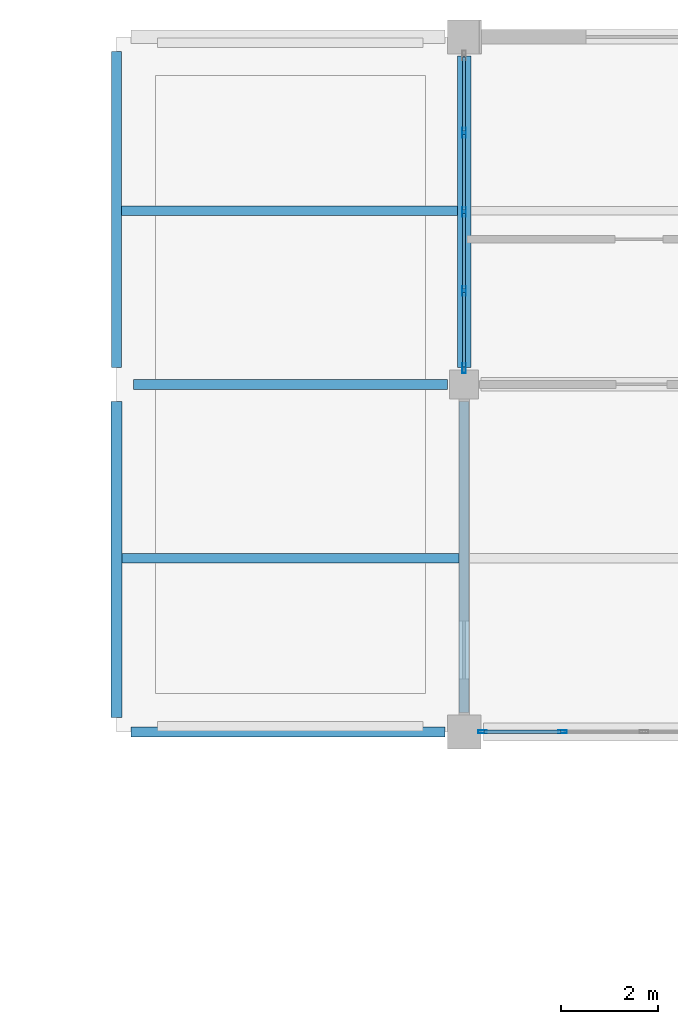
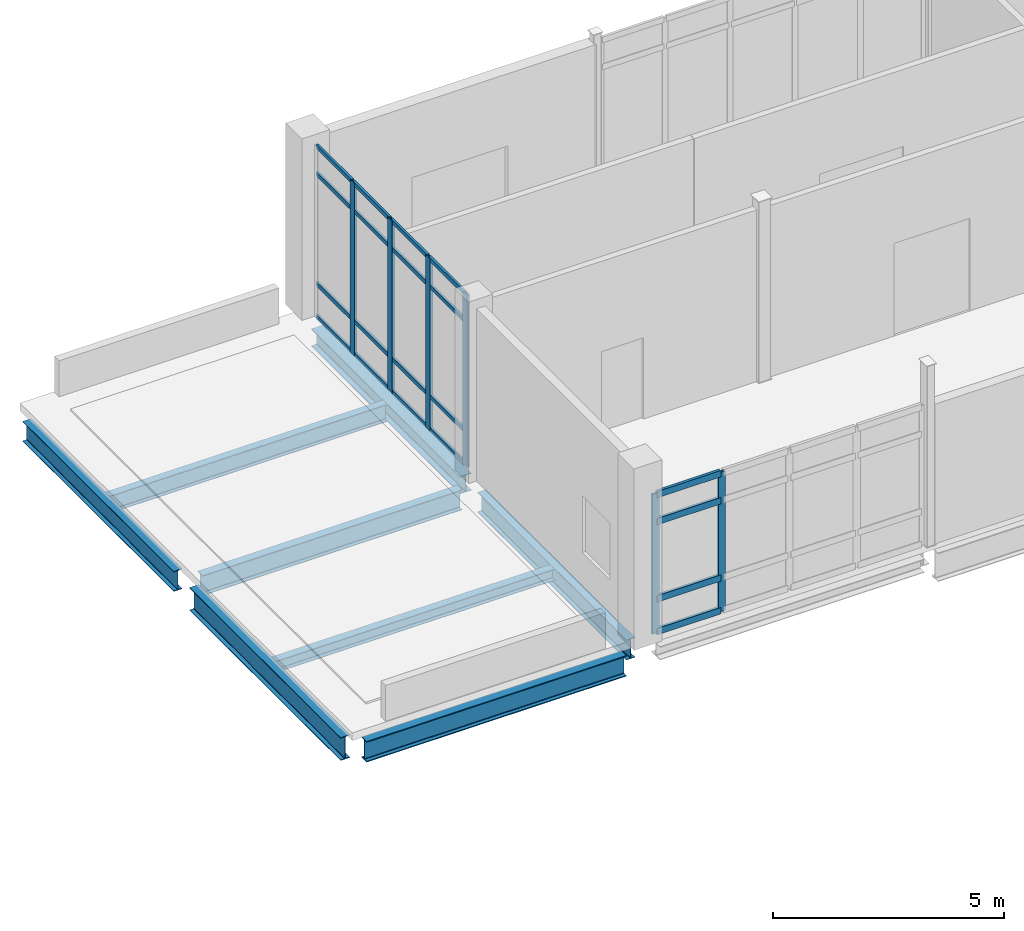
# One storey, part 57 of 153: 26 members, 8 beams, 2 elements without a shape of their own.
"""IFC4 building model written with IfcOpenShell, lengths in metres."""

import ifcopenshell
import ifcopenshell.guid

model = None  # the IFC model being written
_history = None  # IfcOwnerHistory: only IFC2X3 demands one
_inside = {}  # id of a spatial element -> (the spatial element, [elements in it])
_under = {}  # id of a project, library or spatial element -> (it, [spatial elements below it])
_declared = {}  # id of a project -> (the project, [libraries it declares])
_typed = {}  # id of a type object -> (the type object, [elements of that type])
_made_of = {}  # id of a material, layer set ... -> (it, [elements and type objects made of it])


def new_model(schema):
    """Start an empty IFC model of exactly this schema.

    Asked for "IFC4X3", IfcOpenShell would pick the latest addendum, in which some entities
    have other attributes; the version numbers below select the first issue.
    IFC2X3 requires an IfcOwnerHistory on every rooted entity: one is made here for all.
    """
    global model, _history
    if schema == "IFC4X3":
        model = ifcopenshell.file(schema_version=(4, 3, 0, 0))
    else:
        model = ifcopenshell.file(schema=schema)
    _inside.clear()
    _under.clear()
    _declared.clear()
    _typed.clear()
    _made_of.clear()
    _history = None
    if model.schema == "IFC2X3":
        org = make("IfcOrganization", Name="unknown")
        user = make(
            "IfcPersonAndOrganization",
            ThePerson=make("IfcPerson", FamilyName="unknown"),
            TheOrganization=org,
        )
        app = make(
            "IfcApplication",
            ApplicationDeveloper=org,
            Version="unknown",
            ApplicationFullName="unknown",
            ApplicationIdentifier="unknown",
        )
        _history = make(
            "IfcOwnerHistory",
            OwningUser=user,
            OwningApplication=app,
            ChangeAction="ADDED",
            CreationDate=0,
        )
    return model


def make(cls, **values):
    """One entity of the class cls with the attributes given. An attribute that is None is left unset."""
    return model.create_entity(
        cls, **{name: value for name, value in values.items() if value is not None}
    )


def rooted(cls, **values):
    """An entity with a GlobalId (a new one), such as an element, a storey or a relation."""
    return make(cls, GlobalId=ifcopenshell.guid.new(), OwnerHistory=_history, **values)


def si_unit(unit_type, name, prefix=None):
    """IfcSIUnit, for example si_unit("LENGTHUNIT", "METRE", prefix="MILLI")."""
    return make("IfcSIUnit", UnitType=unit_type, Prefix=prefix, Name=name)


def assignment(units):
    """IfcUnitAssignment: the units of a project."""
    return None if units is None else make("IfcUnitAssignment", Units=units)


def point(xyz):
    """IfcCartesianPoint."""
    return None if xyz is None else make("IfcCartesianPoint", Coordinates=xyz)


def direction(xyz):
    """IfcDirection."""
    return None if xyz is None else make("IfcDirection", DirectionRatios=xyz)


def frame(location, z_axis=None, x_axis=None):
    """IfcAxis2Placement3D, a coordinate frame: its origin and axes. An axis left out is left unset."""
    return make(
        "IfcAxis2Placement3D",
        Location=point(location),
        Axis=direction(z_axis),
        RefDirection=direction(x_axis),
    )


def frame_2d(location, x_axis=None):
    """IfcAxis2Placement2D, a coordinate frame in the plane: its origin and x axis."""
    return make(
        "IfcAxis2Placement2D", Location=point(location), RefDirection=direction(x_axis)
    )


def origin():
    """The frame at (0, 0, 0) with its axes left unset."""
    return frame((0.0, 0.0, 0.0))


def origin_2d():
    """The frame at (0, 0) in the plane with its x axis left unset."""
    return frame_2d((0.0, 0.0))


def place(relative_to, where):
    """IfcLocalPlacement: puts the frame where relative to a parent placement (None: the world)."""
    return make(
        "IfcLocalPlacement", PlacementRelTo=relative_to, RelativePlacement=where
    )


def context(
    kind, dimensions, precision=None, world=None, true_north=None, identifier=None
):
    """IfcGeometricRepresentationContext, for example the 3D "Model" context."""
    return make(
        "IfcGeometricRepresentationContext",
        ContextIdentifier=identifier,
        ContextType=kind,
        CoordinateSpaceDimension=dimensions,
        Precision=precision,
        WorldCoordinateSystem=world,
        TrueNorth=true_north,
    )


def subcontext(parent, identifier, kind, view, scale=None):
    """IfcGeometricRepresentationSubContext, for example "Body" below "Model"."""
    return make(
        "IfcGeometricRepresentationSubContext",
        ContextIdentifier=identifier,
        ContextType=kind,
        ParentContext=parent,
        TargetScale=scale,
        TargetView=view,
    )


def project(units=None, contexts=None):
    """IfcProject with its units and contexts."""
    return rooted(
        "IfcProject",
        Name="project",
        RepresentationContexts=contexts,
        UnitsInContext=assignment(units),
    )


def spatial(cls, under=None, at=None, **own):
    """A site, building, storey or space (cls), placed at a placement, below another one or the project."""
    s = rooted(cls, ObjectPlacement=at, **own)
    if under is not None:
        _under.setdefault(under.id(), (under, []))[1].append(s)
    return s


def profile(cls, at=None, kind="AREA", **sizes):
    """A parametric profile (cls). Its sizes go by their IFC names, for example OverallWidth=200.0."""
    return make(cls, ProfileType=kind, Position=at, **sizes)


def hollow_rectangle(**sizes):
    """IfcRectangleHollowProfileDef."""
    return profile("IfcRectangleHollowProfileDef", **sizes)


def i_section(**sizes):
    """IfcIShapeProfileDef."""
    return profile("IfcIShapeProfileDef", **sizes)


def extrude(swept, where, along, depth):
    """IfcExtrudedAreaSolid: the profile swept, set in the frame where, extruded along a direction by depth."""
    return make(
        "IfcExtrudedAreaSolid",
        SweptArea=swept,
        Position=where,
        ExtrudedDirection=direction(along),
        Depth=depth,
    )


def shape(context_of_items, identifier, shape_type, items):
    """IfcShapeRepresentation: the items that make up one representation, for example the "Body"."""
    return make(
        "IfcShapeRepresentation",
        ContextOfItems=context_of_items,
        RepresentationIdentifier=identifier,
        RepresentationType=shape_type,
        Items=items,
    )


def material(Name=None, Category=None):
    """IfcMaterial."""
    return make("IfcMaterial", Name=Name, Category=Category)


def layer(
    of_material, thickness, ventilated=None, Name=None, Category=None, Priority=None
):
    """IfcMaterialLayer: one layer of a wall or slab, of a material (None: an air gap)."""
    return make(
        "IfcMaterialLayer",
        Material=of_material,
        LayerThickness=thickness,
        IsVentilated=ventilated,
        Name=Name,
        Category=Category,
        Priority=Priority,
    )


def layer_set(layers, Name=None):
    """IfcMaterialLayerSet."""
    return make("IfcMaterialLayerSet", MaterialLayers=layers, LayerSetName=Name)


def material_profile(
    of_material, cross_section, Name=None, Category=None, Priority=None
):
    """IfcMaterialProfile: a cross section and its material."""
    return make(
        "IfcMaterialProfile",
        Name=Name,
        Material=of_material,
        Profile=cross_section,
        Priority=Priority,
        Category=Category,
    )


def profile_set(profiles, Name=None, composite=None):
    """IfcMaterialProfileSet."""
    return make(
        "IfcMaterialProfileSet",
        Name=Name,
        MaterialProfiles=profiles,
        CompositeProfile=composite,
    )


def made_of(thing, what):
    """Note that an element or type object is made of a material, layer set ...; save() writes the relation."""
    if what is not None:
        _made_of.setdefault(what.id(), (what, []))[1].append(thing)
    return thing


def type_object(cls, material=None, **own):
    """A type object (cls), such as IfcWallType, which elements share."""
    return made_of(rooted(cls, **own), material)


def element(
    cls,
    number,
    at=None,
    inside=None,
    cuts=None,
    type_object=None,
    material=None,
    context=None,
    identifier="Body",
    shape_type=None,
    held_by="IfcProductDefinitionShape",
    body=None,
    shapes=None,
    **own,
):
    """One element of the class cls, such as IfcWall. Its Tag is "e" and its number.

    at: its placement. inside: the storey or other place that contains it. cuts: it is an
    opening in that element (IfcRelVoidsElement). A single representation is given by context,
    identifier, shape_type and body (its items); several are given by shapes. held_by: the class
    of the entity that holds the representations. save() writes the other relations.
    """
    e = rooted(cls, Tag="e%d" % number, ObjectPlacement=at, **own)
    if body is not None:
        shapes = [shape(context, identifier, shape_type, body)]
    if shapes is not None:
        e.Representation = make(held_by, Representations=shapes)
    if inside is not None:
        _inside.setdefault(inside.id(), (inside, []))[1].append(e)
    if cuts is not None:
        rooted(
            "IfcRelVoidsElement", RelatingBuildingElement=cuts, RelatedOpeningElement=e
        )
    if type_object is not None:
        _typed.setdefault(type_object.id(), (type_object, []))[1].append(e)
    return made_of(e, material)


def aggregate(whole, parts):
    """IfcRelAggregates: a whole, such as a stair, and the parts it consists of."""
    return rooted("IfcRelAggregates", RelatingObject=whole, RelatedObjects=parts)


def save(model, path):
    """Write the relations noted so far, then the file.

    IfcRelAggregates (storeys below a building ...), IfcRelContainedInSpatialStructure (elements
    in a storey), IfcRelDefinesByType, IfcRelAssociatesMaterial and IfcRelDeclares: one each for
    every whole, place, type object, material and project.
    """
    for whole, parts in _under.values():
        aggregate(whole, parts)
    for where, things in _inside.values():
        rooted(
            "IfcRelContainedInSpatialStructure",
            RelatedElements=things,
            RelatingStructure=where,
        )
    for kind, things in _typed.values():
        rooted("IfcRelDefinesByType", RelatedObjects=things, RelatingType=kind)
    for what, things in _made_of.values():
        rooted("IfcRelAssociatesMaterial", RelatedObjects=things, RelatingMaterial=what)
    for by, libraries in _declared.values():
        rooted("IfcRelDeclares", RelatingContext=by, RelatedDefinitions=libraries)
    model.write(path)


model = new_model("IFC4")

# Units and contexts
model_context = context("Model", 3, precision=1e-05, world=origin(), true_north=direction((0.0, 1.0)))
body_context = subcontext(model_context, "Body", "Model", "MODEL_VIEW")
ifc_project = project(units=[si_unit("LENGTHUNIT", "METRE"), si_unit("AREAUNIT", "SQUARE_METRE"), si_unit("VOLUMEUNIT", "CUBIC_METRE"), si_unit("PLANEANGLEUNIT", "RADIAN"), si_unit("MASSUNIT", "GRAM", prefix="KILO")], contexts=[model_context])

# Site, building, storey
site_placement = place(None, origin())
site = spatial("IfcSite", under=ifc_project, at=site_placement, CompositionType="ELEMENT")
building_placement = place(site_placement, origin())
building = spatial("IfcBuilding", under=site, at=building_placement, Name="Calvrana Isthmian Art Gallery", CompositionType="ELEMENT")
storey_placement = place(building_placement, frame((0.0, 0.0, 10.199951171875)))
storey = spatial("IfcBuildingStorey", under=building, at=storey_placement, Name="L02", CompositionType="ELEMENT", Elevation=10.199951171875)

# Beams
ifc_material_1 = material(Name="Steel ASTM A992 Gr 50", Category="steel")
ifc_material_profile_1 = material_profile(ifc_material_1, i_section(OverallWidth=0.279052734375, OverallDepth=0.4619140625, WebThickness=0.0107421875, FlangeThickness=0.017333984375, FilletRadius=0.02001953125, at=origin_2d()), Name="W18X76")
ifc_profile_set_1 = profile_set([ifc_material_profile_1], Name="Steel ASTM A992 Gr 50")
beam_type_1 = type_object("IfcBeamType", Name="BM-G-W18X76", PredefinedType="BEAM", material=ifc_profile_set_1)
beam_1_placement = place(storey_placement, frame((14.39990234375, 105.949951171875, -0.495849609375), z_axis=(0.0, 1.0, 0.0), x_axis=(-1.0, 0.0, 0.0)))
element("IfcBeam", 1, at=beam_1_placement, inside=storey, type_object=beam_type_1, Name="Girder Y L02 03/O-P", PredefinedType="BEAM", context=body_context, shape_type="SweptSolid", body=[
    extrude(i_section(OverallWidth=0.279052734375, OverallDepth=0.4619140625, WebThickness=0.0107421875, FlangeThickness=0.017333984375, FilletRadius=0.02001953125, at=origin_2d()), origin(), (0.0, 0.0, 1.0), 6.449951171875),
])
ifc_material_profile_2 = material_profile(ifc_material_1, i_section(OverallWidth=0.208984375, OverallDepth=0.532958984375, WebThickness=0.01025390625, FlangeThickness=0.015625, FilletRadius=0.02099609375, at=origin_2d()), Name="W21X62")
ifc_profile_set_2 = profile_set([ifc_material_profile_2], Name="Steel ASTM A992 Gr 50")
beam_type_2 = type_object("IfcBeamType", Name="BM-G-W21X62", PredefinedType="BEAM", material=ifc_profile_set_2)
beam_2_placement = place(storey_placement, frame((7.550048828125, 105.60009765625, -0.531494140625), z_axis=(1.0, 0.0, 0.0), x_axis=(0.0, 1.0, 0.0)))
element("IfcBeam", 2, at=beam_2_placement, inside=storey, type_object=beam_type_2, Name="Girder X L02 02-03/O", PredefinedType="BEAM", context=body_context, shape_type="SweptSolid", body=[
    extrude(i_section(OverallWidth=0.208984375, OverallDepth=0.532958984375, WebThickness=0.01025390625, FlangeThickness=0.015625, FilletRadius=0.02099609375, at=origin_2d()), origin(), (0.0, 0.0, 1.0), 6.5),
])
beam_3_placement = place(storey_placement, frame((7.199951171875, 105.949951171875, -0.531494140625), z_axis=(0.0, 1.0, 0.0), x_axis=(-1.0, 0.0, 0.0)))
element("IfcBeam", 3, at=beam_3_placement, inside=storey, type_object=beam_type_2, Name="Girder Y L02 02/O-P", PredefinedType="BEAM", context=body_context, shape_type="SweptSolid", body=[
    extrude(i_section(OverallWidth=0.208984375, OverallDepth=0.532958984375, WebThickness=0.01025390625, FlangeThickness=0.015625, FilletRadius=0.02099609375, at=origin_2d()), origin(), (0.0, 0.0, 1.0), 6.550048828125),
])
beam_4_placement = place(storey_placement, frame((14.39990234375, 98.800048828125, -0.531494140625), z_axis=(0.0, 1.0, 0.0), x_axis=(-1.0, 0.0, 0.0)))
element("IfcBeam", 4, at=beam_4_placement, inside=storey, type_object=beam_type_2, Name="Girder Y L02 03/N-O", PredefinedType="BEAM", context=body_context, shape_type="SweptSolid", body=[
    extrude(i_section(OverallWidth=0.208984375, OverallDepth=0.532958984375, WebThickness=0.01025390625, FlangeThickness=0.015625, FilletRadius=0.02099609375, at=origin_2d()), origin(), (0.0, 0.0, 1.0), 6.449951171875),
])
ifc_material_profile_3 = material_profile(ifc_material_1, i_section(OverallWidth=0.214111328125, OverallDepth=0.549072265625, WebThickness=0.0146484375, FlangeThickness=0.023681640625, FilletRadius=0.02099609375, at=origin_2d()), Name="W21X93")
ifc_profile_set_3 = profile_set([ifc_material_profile_3], Name="Steel ASTM A992 Gr 50")
beam_type_3 = type_object("IfcBeamType", Name="BM-G-W21X93", PredefinedType="BEAM", material=ifc_profile_set_3)
beam_5_placement = place(storey_placement, frame((7.5, 98.39990234375, -0.53955078125), z_axis=(1.0, 0.0, 0.0), x_axis=(0.0, 1.0, 0.0)))
element("IfcBeam", 5, at=beam_5_placement, inside=storey, type_object=beam_type_3, Name="Girder X L02 02-03/N", PredefinedType="BEAM", context=body_context, shape_type="SweptSolid", body=[
    extrude(i_section(OverallWidth=0.214111328125, OverallDepth=0.549072265625, WebThickness=0.0146484375, FlangeThickness=0.023681640625, FilletRadius=0.02099609375, at=origin_2d()), origin(), (0.0, 0.0, 1.0), 6.5),
])
ifc_material_profile_4 = material_profile(ifc_material_1, i_section(OverallWidth=0.22802734375, OverallDepth=0.60693359375, WebThickness=0.01123046875, FlangeThickness=0.017333984375, FilletRadius=0.02197265625, at=origin_2d()), Name="W24X76")
ifc_profile_set_4 = profile_set([ifc_material_profile_4], Name="Steel ASTM A992 Gr 50")
beam_type_4 = type_object("IfcBeamType", Name="BM-G-W24X76", PredefinedType="BEAM", material=ifc_profile_set_4)
beam_6_placement = place(storey_placement, frame((7.199951171875, 98.699951171875, -0.568359375), z_axis=(0.0, 1.0, 0.0), x_axis=(-1.0, 0.0, 0.0)))
element("IfcBeam", 6, at=beam_6_placement, inside=storey, type_object=beam_type_4, Name="Girder Y L02 02/N-O", PredefinedType="BEAM", context=body_context, shape_type="SweptSolid", body=[
    extrude(i_section(OverallWidth=0.22802734375, OverallDepth=0.60693359375, WebThickness=0.01123046875, FlangeThickness=0.017333984375, FilletRadius=0.02197265625, at=origin_2d()), origin(), (0.0, 0.0, 1.0), 6.550048828125),
])
ifc_material_profile_5 = material_profile(ifc_material_1, i_section(OverallWidth=0.202880859375, OverallDepth=0.302001953125, WebThickness=0.007568359375, FlangeThickness=0.01318359375, FilletRadius=0.01611328125, at=origin_2d()), Name="W12X40")
ifc_profile_set_5 = profile_set([ifc_material_profile_5], Name="Steel ASTM A992 Gr 50")
beam_type_5 = type_object("IfcBeamType", Name="BM-J-W12X40", PredefinedType="JOIST", material=ifc_profile_set_5)
beam_7_placement = place(storey_placement, frame((7.31396484375, 102.0, -0.416015625), z_axis=(1.0, 0.0, 0.0), x_axis=(0.0, 1.0, 0.0)))
element("IfcBeam", 7, at=beam_7_placement, inside=storey, type_object=beam_type_5, Name="Composite joist L02 bay 01-13", PredefinedType="JOIST", context=body_context, shape_type="SweptSolid", body=[
    extrude(i_section(OverallWidth=0.202880859375, OverallDepth=0.302001953125, WebThickness=0.007568359375, FlangeThickness=0.01318359375, FilletRadius=0.01611328125, at=origin_2d()), origin(), (0.0, 0.0, 1.0), 6.9814453125),
])
ifc_material_profile_6 = material_profile(ifc_material_1, i_section(OverallWidth=0.19091796875, OverallDepth=0.45703125, WebThickness=0.009033203125, FlangeThickness=0.014404296875, FilletRadius=0.02001953125, at=origin_2d()), Name="W18X50")
ifc_profile_set_6 = profile_set([ifc_material_profile_6], Name="Steel ASTM A992 Gr 50")
beam_type_6 = type_object("IfcBeamType", Name="BM-J-W18X50", PredefinedType="JOIST", material=ifc_profile_set_6)
beam_8_placement = place(storey_placement, frame((7.304443359375, 109.199951171875, -0.493408203125), z_axis=(1.0, 0.0, 0.0), x_axis=(0.0, 1.0, 0.0)))
element("IfcBeam", 8, at=beam_8_placement, inside=storey, type_object=beam_type_6, Name="Composite joist L02 bay 01-14", PredefinedType="JOIST", context=body_context, shape_type="SweptSolid", body=[
    extrude(i_section(OverallWidth=0.19091796875, OverallDepth=0.45703125, WebThickness=0.009033203125, FlangeThickness=0.014404296875, FilletRadius=0.02001953125, at=origin_2d()), origin(), (0.0, 0.0, 1.0), 6.9560546875),
])

# Curtain wall, members
ifc_material_2 = material(Name="Anodized bronze aluminium 6063-T6", Category="aluminium")
ifc_layer_1 = layer(ifc_material_2, 0.179931640625, Name="Anodized bronze aluminium 6063-T6")
ifc_layer_set_1 = layer_set([ifc_layer_1], Name="Anodized bronze aluminium 6063-T6")
curtain_wall_type_1 = type_object("IfcCurtainWallType", Name="CW-UNIT-067X37", PredefinedType="USERDEFINED", material=ifc_layer_set_1)
curtain_wall_1_placement = place(storey_placement, origin())
curtain_wall_1 = element("IfcCurtainWall", 9, at=curtain_wall_1_placement, inside=storey, type_object=curtain_wall_type_1, Name="Curtain wall CW-158", ObjectType="UNITISED CURTAIN WALL", PredefinedType="USERDEFINED")
ifc_material_profile_7 = material_profile(ifc_material_2, hollow_rectangle(XDim=0.06494140625, YDim=0.179931640625, WallThickness=0.00439453125, at=origin_2d()), Name="CWM65X180")
ifc_profile_set_7 = profile_set([ifc_material_profile_7], Name="Anodized bronze aluminium 6063-T6")
member_type_1 = type_object("IfcMemberType", Name="CWM-CWM65X180", PredefinedType="MULLION", material=ifc_profile_set_7)
member_1_placement = place(storey_placement, frame((16.43701171875, 98.39990234375, 0.0), z_axis=(0.0, 0.0, 1.0), x_axis=(0.0, -1.0, 0.0)))
member_1 = element("IfcMember", 10, at=member_1_placement, type_object=member_type_1, Name="CW-158 mullion 4", PredefinedType="MULLION", context=body_context, shape_type="SweptSolid", body=[
    extrude(hollow_rectangle(XDim=0.06494140625, YDim=0.179931640625, WallThickness=0.00439453125, at=origin_2d()), origin(), (0.0, 0.0, 1.0), 3.695068359375),
])
member_2_placement = place(storey_placement, frame((14.782470703125, 98.39990234375, 0.0), z_axis=(0.0, 0.0, 1.0), x_axis=(0.0, -1.0, 0.0)))
member_2 = element("IfcMember", 11, at=member_2_placement, type_object=member_type_1, Name="CW-158 mullion 5", PredefinedType="MULLION", context=body_context, shape_type="SweptSolid", body=[
    extrude(hollow_rectangle(XDim=0.06494140625, YDim=0.179931640625, WallThickness=0.00439453125, at=origin_2d()), origin(), (0.0, 0.0, 1.0), 3.695068359375),
])

ifc_layer_2 = layer(ifc_material_2, 0.179931640625, Name="Anodized bronze aluminium 6063-T6")
ifc_layer_set_2 = layer_set([ifc_layer_2], Name="Anodized bronze aluminium 6063-T6")
curtain_wall_type_2 = type_object("IfcCurtainWallType", Name="CW-STICK-065X46", PredefinedType="NOTDEFINED", material=ifc_layer_set_2)
curtain_wall_2_placement = place(storey_placement, origin())
curtain_wall_2 = element("IfcCurtainWall", 12, at=curtain_wall_2_placement, inside=storey, type_object=curtain_wall_type_2, Name="Curtain wall CW-165", PredefinedType="NOTDEFINED")
ifc_material_profile_8 = material_profile(ifc_material_2, hollow_rectangle(XDim=0.070068359375, YDim=0.199951171875, WallThickness=0.0048828125, at=origin_2d()), Name="CWM70X200")
ifc_profile_set_8 = profile_set([ifc_material_profile_8], Name="Anodized bronze aluminium 6063-T6")
member_type_2 = type_object("IfcMemberType", Name="CWM-CWM70X200", PredefinedType="MULLION", material=ifc_profile_set_8)
member_3_placement = place(storey_placement, frame((14.39990234375, 105.93505859375, 0.0), z_axis=(0.0, 0.0, 1.0), x_axis=(-1.0, 0.0, 0.0)))
member_3 = element("IfcMember", 13, at=member_3_placement, type_object=member_type_2, Name="CW-165 mullion 1", PredefinedType="MULLION", context=body_context, shape_type="SweptSolid", body=[
    extrude(hollow_rectangle(XDim=0.070068359375, YDim=0.199951171875, WallThickness=0.0048828125, at=origin_2d()), origin(), (0.0, 0.0, 1.0), 4.56005859375),
])
member_4_placement = place(storey_placement, frame((14.39990234375, 107.53759765625, 0.0), z_axis=(0.0, 0.0, 1.0), x_axis=(-1.0, 0.0, 0.0)))
member_4 = element("IfcMember", 14, at=member_4_placement, type_object=member_type_2, Name="CW-165 mullion 2", PredefinedType="MULLION", context=body_context, shape_type="SweptSolid", body=[
    extrude(hollow_rectangle(XDim=0.070068359375, YDim=0.199951171875, WallThickness=0.0048828125, at=origin_2d()), origin(), (0.0, 0.0, 1.0), 4.56005859375),
])
member_5_placement = place(storey_placement, frame((14.39990234375, 109.175048828125, 0.0), z_axis=(0.0, 0.0, 1.0), x_axis=(-1.0, 0.0, 0.0)))
member_5 = element("IfcMember", 15, at=member_5_placement, type_object=member_type_2, Name="CW-165 mullion 3", PredefinedType="MULLION", context=body_context, shape_type="SweptSolid", body=[
    extrude(hollow_rectangle(XDim=0.070068359375, YDim=0.199951171875, WallThickness=0.0048828125, at=origin_2d()), origin(), (0.0, 0.0, 1.0), 4.56005859375),
])
member_6_placement = place(storey_placement, frame((14.39990234375, 110.8125, 0.0), z_axis=(0.0, 0.0, 1.0), x_axis=(-1.0, 0.0, 0.0)))
member_6 = element("IfcMember", 16, at=member_6_placement, type_object=member_type_2, Name="CW-165 mullion 4", PredefinedType="MULLION", context=body_context, shape_type="SweptSolid", body=[
    extrude(hollow_rectangle(XDim=0.070068359375, YDim=0.199951171875, WallThickness=0.0048828125, at=origin_2d()), origin(), (0.0, 0.0, 1.0), 4.56005859375),
])
ifc_material_profile_9 = material_profile(ifc_material_2, hollow_rectangle(XDim=0.06005859375, YDim=0.110107421875, WallThickness=0.00341796875, at=origin_2d()), Name="CWT60X110")
ifc_profile_set_9 = profile_set([ifc_material_profile_9], Name="Anodized bronze aluminium 6063-T6")
member_type_3 = type_object("IfcMemberType", Name="CWT-CWT60X110", PredefinedType="USERDEFINED", material=ifc_profile_set_9)
member_7_placement = place(storey_placement, frame((14.39990234375, 105.969970703125, 0.030029296875), z_axis=(0.0, 1.0, 0.0), x_axis=(-1.0, 0.0, 0.0)))
member_7 = element("IfcMember", 17, at=member_7_placement, type_object=member_type_3, Name="CW-165 transom 1.1", ObjectType="TRANSOM", PredefinedType="USERDEFINED", context=body_context, shape_type="SweptSolid", body=[
    extrude(hollow_rectangle(XDim=0.06005859375, YDim=0.110107421875, WallThickness=0.00341796875, at=origin_2d()), origin(), (0.0, 0.0, 1.0), 1.532470703125),
])
member_8_placement = place(storey_placement, frame((14.39990234375, 105.969970703125, 0.900146484375), z_axis=(0.0, 1.0, 0.0), x_axis=(-1.0, 0.0, 0.0)))
member_8 = element("IfcMember", 18, at=member_8_placement, type_object=member_type_3, Name="CW-165 transom 1.2", ObjectType="TRANSOM", PredefinedType="USERDEFINED", context=body_context, shape_type="SweptSolid", body=[
    extrude(hollow_rectangle(XDim=0.06005859375, YDim=0.110107421875, WallThickness=0.00341796875, at=origin_2d()), origin(), (0.0, 0.0, 1.0), 1.532470703125),
])
member_9_placement = place(storey_placement, frame((14.39990234375, 105.969970703125, 3.81005859375), z_axis=(0.0, 1.0, 0.0), x_axis=(-1.0, 0.0, 0.0)))
member_9 = element("IfcMember", 19, at=member_9_placement, type_object=member_type_3, Name="CW-165 transom 1.3", ObjectType="TRANSOM", PredefinedType="USERDEFINED", context=body_context, shape_type="SweptSolid", body=[
    extrude(hollow_rectangle(XDim=0.06005859375, YDim=0.110107421875, WallThickness=0.00341796875, at=origin_2d()), origin(), (0.0, 0.0, 1.0), 1.532470703125),
])
member_10_placement = place(storey_placement, frame((14.39990234375, 105.969970703125, 4.530029296875), z_axis=(0.0, 1.0, 0.0), x_axis=(-1.0, 0.0, 0.0)))
member_10 = element("IfcMember", 20, at=member_10_placement, type_object=member_type_3, Name="CW-165 transom 1.4", ObjectType="TRANSOM", PredefinedType="USERDEFINED", context=body_context, shape_type="SweptSolid", body=[
    extrude(hollow_rectangle(XDim=0.06005859375, YDim=0.110107421875, WallThickness=0.00341796875, at=origin_2d()), origin(), (0.0, 0.0, 1.0), 1.532470703125),
])
member_11_placement = place(storey_placement, frame((14.39990234375, 107.572509765625, 0.030029296875), z_axis=(0.0, 1.0, 0.0), x_axis=(-1.0, 0.0, 0.0)))
member_11 = element("IfcMember", 21, at=member_11_placement, type_object=member_type_3, Name="CW-165 transom 2.1", ObjectType="TRANSOM", PredefinedType="USERDEFINED", context=body_context, shape_type="SweptSolid", body=[
    extrude(hollow_rectangle(XDim=0.06005859375, YDim=0.110107421875, WallThickness=0.00341796875, at=origin_2d()), origin(), (0.0, 0.0, 1.0), 1.5673828125),
])
member_12_placement = place(storey_placement, frame((14.39990234375, 107.572509765625, 0.900146484375), z_axis=(0.0, 1.0, 0.0), x_axis=(-1.0, 0.0, 0.0)))
member_12 = element("IfcMember", 22, at=member_12_placement, type_object=member_type_3, Name="CW-165 transom 2.2", ObjectType="TRANSOM", PredefinedType="USERDEFINED", context=body_context, shape_type="SweptSolid", body=[
    extrude(hollow_rectangle(XDim=0.06005859375, YDim=0.110107421875, WallThickness=0.00341796875, at=origin_2d()), origin(), (0.0, 0.0, 1.0), 1.5673828125),
])
member_13_placement = place(storey_placement, frame((14.39990234375, 107.572509765625, 3.81005859375), z_axis=(0.0, 1.0, 0.0), x_axis=(-1.0, 0.0, 0.0)))
member_13 = element("IfcMember", 23, at=member_13_placement, type_object=member_type_3, Name="CW-165 transom 2.3", ObjectType="TRANSOM", PredefinedType="USERDEFINED", context=body_context, shape_type="SweptSolid", body=[
    extrude(hollow_rectangle(XDim=0.06005859375, YDim=0.110107421875, WallThickness=0.00341796875, at=origin_2d()), origin(), (0.0, 0.0, 1.0), 1.5673828125),
])
member_14_placement = place(storey_placement, frame((14.39990234375, 107.572509765625, 4.530029296875), z_axis=(0.0, 1.0, 0.0), x_axis=(-1.0, 0.0, 0.0)))
member_14 = element("IfcMember", 24, at=member_14_placement, type_object=member_type_3, Name="CW-165 transom 2.4", ObjectType="TRANSOM", PredefinedType="USERDEFINED", context=body_context, shape_type="SweptSolid", body=[
    extrude(hollow_rectangle(XDim=0.06005859375, YDim=0.110107421875, WallThickness=0.00341796875, at=origin_2d()), origin(), (0.0, 0.0, 1.0), 1.5673828125),
])
member_15_placement = place(storey_placement, frame((14.39990234375, 109.2099609375, 0.030029296875), z_axis=(0.0, 1.0, 0.0), x_axis=(-1.0, 0.0, 0.0)))
member_15 = element("IfcMember", 25, at=member_15_placement, type_object=member_type_3, Name="CW-165 transom 3.1", ObjectType="TRANSOM", PredefinedType="USERDEFINED", context=body_context, shape_type="SweptSolid", body=[
    extrude(hollow_rectangle(XDim=0.06005859375, YDim=0.110107421875, WallThickness=0.00341796875, at=origin_2d()), origin(), (0.0, 0.0, 1.0), 1.567626953125),
])
member_16_placement = place(storey_placement, frame((14.39990234375, 109.2099609375, 0.900146484375), z_axis=(0.0, 1.0, 0.0), x_axis=(-1.0, 0.0, 0.0)))
member_16 = element("IfcMember", 26, at=member_16_placement, type_object=member_type_3, Name="CW-165 transom 3.2", ObjectType="TRANSOM", PredefinedType="USERDEFINED", context=body_context, shape_type="SweptSolid", body=[
    extrude(hollow_rectangle(XDim=0.06005859375, YDim=0.110107421875, WallThickness=0.00341796875, at=origin_2d()), origin(), (0.0, 0.0, 1.0), 1.567626953125),
])
member_17_placement = place(storey_placement, frame((14.39990234375, 109.2099609375, 3.81005859375), z_axis=(0.0, 1.0, 0.0), x_axis=(-1.0, 0.0, 0.0)))
member_17 = element("IfcMember", 27, at=member_17_placement, type_object=member_type_3, Name="CW-165 transom 3.3", ObjectType="TRANSOM", PredefinedType="USERDEFINED", context=body_context, shape_type="SweptSolid", body=[
    extrude(hollow_rectangle(XDim=0.06005859375, YDim=0.110107421875, WallThickness=0.00341796875, at=origin_2d()), origin(), (0.0, 0.0, 1.0), 1.567626953125),
])
member_18_placement = place(storey_placement, frame((14.39990234375, 109.2099609375, 4.530029296875), z_axis=(0.0, 1.0, 0.0), x_axis=(-1.0, 0.0, 0.0)))
member_18 = element("IfcMember", 28, at=member_18_placement, type_object=member_type_3, Name="CW-165 transom 3.4", ObjectType="TRANSOM", PredefinedType="USERDEFINED", context=body_context, shape_type="SweptSolid", body=[
    extrude(hollow_rectangle(XDim=0.06005859375, YDim=0.110107421875, WallThickness=0.00341796875, at=origin_2d()), origin(), (0.0, 0.0, 1.0), 1.567626953125),
])
member_19_placement = place(storey_placement, frame((14.39990234375, 110.847412109375, 0.030029296875), z_axis=(0.0, 1.0, 0.0), x_axis=(-1.0, 0.0, 0.0)))
member_19 = element("IfcMember", 29, at=member_19_placement, type_object=member_type_3, Name="CW-165 transom 4.1", ObjectType="TRANSOM", PredefinedType="USERDEFINED", context=body_context, shape_type="SweptSolid", body=[
    extrude(hollow_rectangle(XDim=0.06005859375, YDim=0.110107421875, WallThickness=0.00341796875, at=origin_2d()), origin(), (0.0, 0.0, 1.0), 1.532470703125),
])
member_20_placement = place(storey_placement, frame((14.39990234375, 110.847412109375, 0.900146484375), z_axis=(0.0, 1.0, 0.0), x_axis=(-1.0, 0.0, 0.0)))
member_20 = element("IfcMember", 30, at=member_20_placement, type_object=member_type_3, Name="CW-165 transom 4.2", ObjectType="TRANSOM", PredefinedType="USERDEFINED", context=body_context, shape_type="SweptSolid", body=[
    extrude(hollow_rectangle(XDim=0.06005859375, YDim=0.110107421875, WallThickness=0.00341796875, at=origin_2d()), origin(), (0.0, 0.0, 1.0), 1.532470703125),
])
member_21_placement = place(storey_placement, frame((14.39990234375, 110.847412109375, 3.81005859375), z_axis=(0.0, 1.0, 0.0), x_axis=(-1.0, 0.0, 0.0)))
member_21 = element("IfcMember", 31, at=member_21_placement, type_object=member_type_3, Name="CW-165 transom 4.3", ObjectType="TRANSOM", PredefinedType="USERDEFINED", context=body_context, shape_type="SweptSolid", body=[
    extrude(hollow_rectangle(XDim=0.06005859375, YDim=0.110107421875, WallThickness=0.00341796875, at=origin_2d()), origin(), (0.0, 0.0, 1.0), 1.532470703125),
])
member_22_placement = place(storey_placement, frame((14.39990234375, 110.847412109375, 4.530029296875), z_axis=(0.0, 1.0, 0.0), x_axis=(-1.0, 0.0, 0.0)))
member_22 = element("IfcMember", 32, at=member_22_placement, type_object=member_type_3, Name="CW-165 transom 4.4", ObjectType="TRANSOM", PredefinedType="USERDEFINED", context=body_context, shape_type="SweptSolid", body=[
    extrude(hollow_rectangle(XDim=0.06005859375, YDim=0.110107421875, WallThickness=0.00341796875, at=origin_2d()), origin(), (0.0, 0.0, 1.0), 1.532470703125),
])
aggregate(curtain_wall_2, [member_3, member_4, member_5, member_6, member_7, member_8, member_9, member_10, member_11, member_12, member_13, member_14, member_15, member_16, member_17, member_18, member_19, member_20, member_21, member_22])

# Member
ifc_material_profile_10 = material_profile(ifc_material_2, hollow_rectangle(XDim=0.070068359375, YDim=0.169921875, WallThickness=0.00439453125, at=origin_2d()), Name="CWT70X170")
ifc_profile_set_10 = profile_set([ifc_material_profile_10], Name="Anodized bronze aluminium 6063-T6")
member_type_4 = type_object("IfcMemberType", Name="CWT-CWT70X170", PredefinedType="USERDEFINED", material=ifc_profile_set_10)
member_23_placement = place(storey_placement, frame((16.404541015625, 98.39990234375, 0.03515625), z_axis=(-1.0, 0.0, 0.0), x_axis=(0.0, -1.0, 0.0)))
member_23 = element("IfcMember", 33, at=member_23_placement, type_object=member_type_4, Name="CW-158 transom 4.1", ObjectType="TRANSOM", PredefinedType="USERDEFINED", context=body_context, shape_type="SweptSolid", body=[
    extrude(hollow_rectangle(XDim=0.070068359375, YDim=0.169921875, WallThickness=0.00439453125, at=origin_2d()), origin(), (0.0, 0.0, 1.0), 1.589599609375),
])

member_24_placement = place(storey_placement, frame((16.404541015625, 98.39990234375, 0.900146484375), z_axis=(-1.0, 0.0, 0.0), x_axis=(0.0, -1.0, 0.0)))
member_24 = element("IfcMember", 34, at=member_24_placement, type_object=member_type_4, Name="CW-158 transom 4.2", ObjectType="TRANSOM", PredefinedType="USERDEFINED", context=body_context, shape_type="SweptSolid", body=[
    extrude(hollow_rectangle(XDim=0.070068359375, YDim=0.169921875, WallThickness=0.00439453125, at=origin_2d()), origin(), (0.0, 0.0, 1.0), 1.589599609375),
])

member_25_placement = place(storey_placement, frame((16.404541015625, 98.39990234375, 2.945068359375), z_axis=(-1.0, 0.0, 0.0), x_axis=(0.0, -1.0, 0.0)))
member_25 = element("IfcMember", 35, at=member_25_placement, type_object=member_type_4, Name="CW-158 transom 4.3", ObjectType="TRANSOM", PredefinedType="USERDEFINED", context=body_context, shape_type="SweptSolid", body=[
    extrude(hollow_rectangle(XDim=0.070068359375, YDim=0.169921875, WallThickness=0.00439453125, at=origin_2d()), origin(), (0.0, 0.0, 1.0), 1.589599609375),
])

member_26_placement = place(storey_placement, frame((16.404541015625, 98.39990234375, 3.66015625), z_axis=(-1.0, 0.0, 0.0), x_axis=(0.0, -1.0, 0.0)))
member_26 = element("IfcMember", 36, at=member_26_placement, type_object=member_type_4, Name="CW-158 transom 4.4", ObjectType="TRANSOM", PredefinedType="USERDEFINED", context=body_context, shape_type="SweptSolid", body=[
    extrude(hollow_rectangle(XDim=0.070068359375, YDim=0.169921875, WallThickness=0.00439453125, at=origin_2d()), origin(), (0.0, 0.0, 1.0), 1.589599609375),
])

aggregate(curtain_wall_1, [member_1, member_2, member_23, member_24, member_25, member_26])

save(model, "model.ifc")
